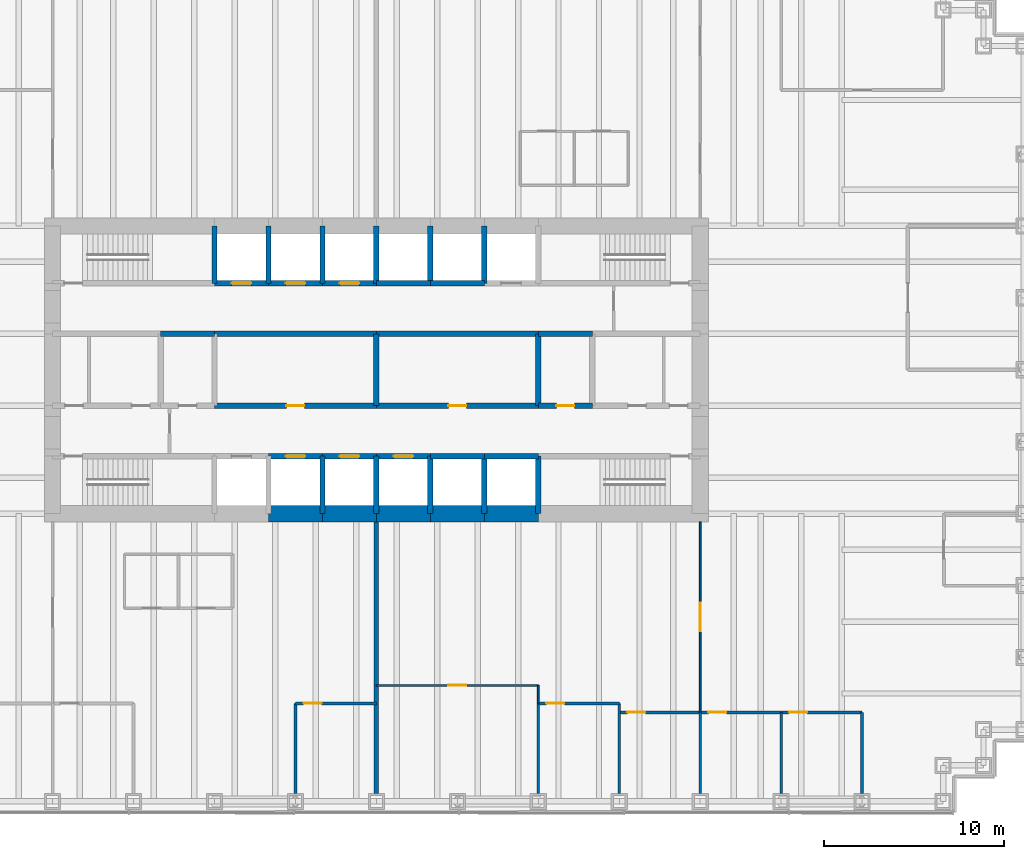
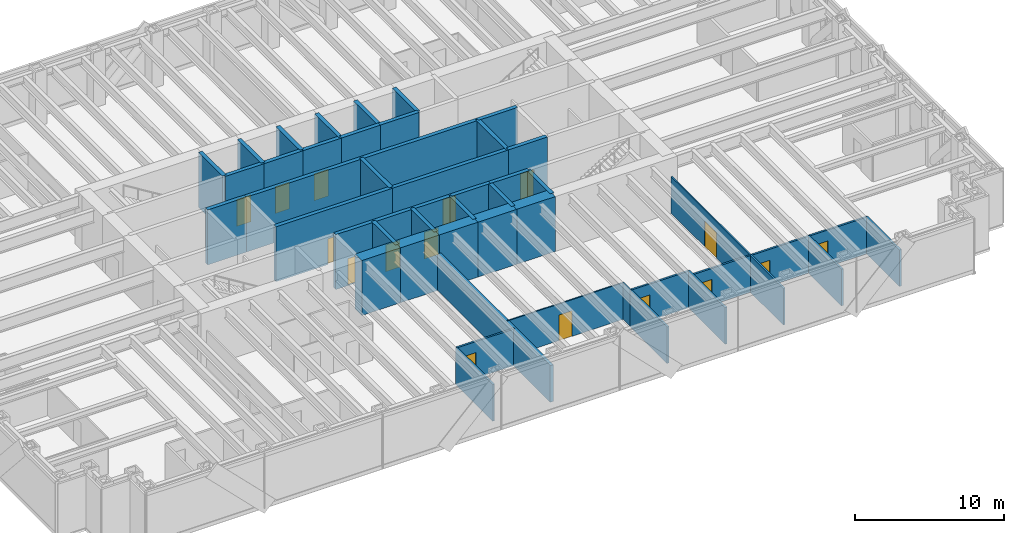
# One storey, part 10 of 13: 48 walls, 16 doors, 16 openings.
"""IFC4 building model written with IfcOpenShell, lengths in metres."""

from ifc_helpers import new_model, si_unit, direction, frame, frame_2d, origin, place, context, subcontext, project, spatial, rectangle, extrude, material, layer, layer_set, type_object, element, fill, save


model = new_model("IFC4")

# Units and contexts
model_context = context("Model", 3, precision=1e-05, world=origin(), true_north=direction((0.0, 1.0)))
body_context = subcontext(model_context, "Body", "Model", "MODEL_VIEW")
ifc_project = project(units=[si_unit("LENGTHUNIT", "METRE"), si_unit("AREAUNIT", "SQUARE_METRE"), si_unit("VOLUMEUNIT", "CUBIC_METRE"), si_unit("PLANEANGLEUNIT", "RADIAN"), si_unit("MASSUNIT", "GRAM", prefix="KILO")], contexts=[model_context])

# Site, building, storey
site_placement = place(None, origin())
site = spatial("IfcSite", under=ifc_project, at=site_placement, CompositionType="ELEMENT")
building_placement = place(site_placement, origin())
building = spatial("IfcBuilding", under=site, at=building_placement, Name="Rheinbord Bourse Tower", CompositionType="ELEMENT")
storey_placement = place(building_placement, frame((0.0, 0.0, 54.5)))
storey = spatial("IfcBuildingStorey", under=building, at=storey_placement, Name="L11", CompositionType="ELEMENT", Elevation=54.5)

# Wall, opening, door
ifc_material_1 = material(Name="Concrete C50/60", Category="concrete")
ifc_layer_1 = layer(ifc_material_1, 0.300048828125)
ifc_layer_set_1 = layer_set([ifc_layer_1], Name="CORE INNER WALL 300")
wall_type_1 = type_object("IfcWallType", Name="CORE INNER WALL 300", PredefinedType="SOLIDWALL", material=ifc_layer_set_1)
wall_1_placement = place(storey_placement, frame((30.0, 19.199951171875, 0.0), z_axis=(0.0, 0.0, 1.0), x_axis=(1.0, 0.0, 0.0)))
wall_1 = element("IfcWall", 1, at=wall_1_placement, inside=storey, type_object=wall_type_1, Name="Core wall A3 L11", PredefinedType="SOLIDWALL", context=body_context, shape_type="SweptSolid", body=[
    extrude(rectangle(XDim=3.0, YDim=0.300048828125, at=frame_2d((1.5, 0.0))), origin(), (0.0, 0.0, 1.0), 4.5),
])
opening_1_placement = place(wall_1_placement, frame((0.949951171875, 0.0, 0.0)))
opening_1 = element("IfcOpeningElement", 2, at=opening_1_placement, cuts=wall_1, Name="Opening PA1", PredefinedType="OPENING", context=body_context, shape_type="SweptSolid", body=[
    extrude(rectangle(XDim=1.10009765625, YDim=2.199951171875, at=frame_2d((0.550048828125, 1.10009765625))), frame((0.0, 0.159912109375, 0.0), z_axis=(0.0, -1.0, 0.0), x_axis=(1.0, 0.0, 0.0)), (0.0, 0.0, 1.0), 0.320068359375),
])
ifc_material_2 = material(Name="Steel landing door", Category="steel")
door_type_1 = type_object("IfcDoorType", Name="LIFT LANDING DOOR 1100", OperationType="DOUBLE_DOOR_SLIDING", PredefinedType="USERDEFINED", material=ifc_material_2)
door_1_placement = place(opening_1_placement, origin())
door_1 = element("IfcDoor", 3, at=door_1_placement, inside=storey, type_object=door_type_1, Name="Lift landing door PA1 L11", ObjectType="LIFT LANDING DOOR", OperationType="DOUBLE_DOOR_SLIDING", OverallHeight=2.199951171875, OverallWidth=1.10009765625, PredefinedType="USERDEFINED", context=body_context, shape_type="SweptSolid", body=[
    extrude(rectangle(XDim=1.10009765625, YDim=2.199951171875, at=frame_2d((0.550048828125, 1.10009765625))), frame((0.0, 0.02490234375, 0.0), z_axis=(0.0, -1.0, 0.0), x_axis=(1.0, 0.0, 0.0)), (0.0, 0.0, 1.0), 0.050048828125),
])
fill(opening_1, door_1)

wall_2_placement = place(storey_placement, frame((33.0, 19.199951171875, 0.0), z_axis=(0.0, 0.0, 1.0), x_axis=(1.0, 0.0, 0.0)))
wall_2 = element("IfcWall", 4, at=wall_2_placement, inside=storey, type_object=wall_type_1, Name="Core wall A4 L11", PredefinedType="SOLIDWALL", context=body_context, shape_type="SweptSolid", body=[
    extrude(rectangle(XDim=3.0, YDim=0.300048828125, at=frame_2d((1.5, 0.0))), origin(), (0.0, 0.0, 1.0), 4.5),
])
opening_2_placement = place(wall_2_placement, frame((0.949951171875, 0.0, 0.0)))
opening_2 = element("IfcOpeningElement", 5, at=opening_2_placement, cuts=wall_2, Name="Opening PA2", PredefinedType="OPENING", context=body_context, shape_type="SweptSolid", body=[
    extrude(rectangle(XDim=1.10009765625, YDim=2.199951171875, at=frame_2d((0.550048828125, 1.10009765625))), frame((0.0, 0.159912109375, 0.0), z_axis=(0.0, -1.0, 0.0), x_axis=(1.0, 0.0, 0.0)), (0.0, 0.0, 1.0), 0.320068359375),
])
door_2_placement = place(opening_2_placement, origin())
door_2 = element("IfcDoor", 6, at=door_2_placement, inside=storey, type_object=door_type_1, Name="Lift landing door PA2 L11", ObjectType="LIFT LANDING DOOR", OperationType="DOUBLE_DOOR_SLIDING", OverallHeight=2.199951171875, OverallWidth=1.10009765625, PredefinedType="USERDEFINED", context=body_context, shape_type="SweptSolid", body=[
    extrude(rectangle(XDim=1.10009765625, YDim=2.199951171875, at=frame_2d((0.550048828125, 1.10009765625))), frame((0.0, 0.02490234375, 0.0), z_axis=(0.0, -1.0, 0.0), x_axis=(1.0, 0.0, 0.0)), (0.0, 0.0, 1.0), 0.050048828125),
])
fill(opening_2, door_2)

wall_3_placement = place(storey_placement, frame((36.0, 19.199951171875, 0.0), z_axis=(0.0, 0.0, 1.0), x_axis=(1.0, 0.0, 0.0)))
wall_3 = element("IfcWall", 7, at=wall_3_placement, inside=storey, type_object=wall_type_1, Name="Core wall A5 L11", PredefinedType="SOLIDWALL", context=body_context, shape_type="SweptSolid", body=[
    extrude(rectangle(XDim=3.0, YDim=0.300048828125, at=frame_2d((1.5, 0.0))), origin(), (0.0, 0.0, 1.0), 4.5),
])
opening_3_placement = place(wall_3_placement, frame((0.949951171875, 0.0, 0.0)))
opening_3 = element("IfcOpeningElement", 8, at=opening_3_placement, cuts=wall_3, Name="Opening PA3", PredefinedType="OPENING", context=body_context, shape_type="SweptSolid", body=[
    extrude(rectangle(XDim=1.10009765625, YDim=2.199951171875, at=frame_2d((0.550048828125, 1.10009765625))), frame((0.0, 0.159912109375, 0.0), z_axis=(0.0, -1.0, 0.0), x_axis=(1.0, 0.0, 0.0)), (0.0, 0.0, 1.0), 0.320068359375),
])
door_3_placement = place(opening_3_placement, origin())
door_3 = element("IfcDoor", 9, at=door_3_placement, inside=storey, type_object=door_type_1, Name="Lift landing door PA3 L11", ObjectType="LIFT LANDING DOOR", OperationType="DOUBLE_DOOR_SLIDING", OverallHeight=2.199951171875, OverallWidth=1.10009765625, PredefinedType="USERDEFINED", context=body_context, shape_type="SweptSolid", body=[
    extrude(rectangle(XDim=1.10009765625, YDim=2.199951171875, at=frame_2d((0.550048828125, 1.10009765625))), frame((0.0, 0.02490234375, 0.0), z_axis=(0.0, -1.0, 0.0), x_axis=(1.0, 0.0, 0.0)), (0.0, 0.0, 1.0), 0.050048828125),
])
fill(opening_3, door_3)

# Walls
for number, where, z_axis, x_axis, name in (
    (10, (39.0, 19.199951171875, 0.0), (0.0, 0.0, 1.0), (1.0, 0.0, 0.0), "Core wall A6 L11"),
    (11, (42.0, 19.199951171875, 0.0), (0.0, 0.0, 1.0), (1.0, 0.0, 0.0), "Core wall A7 L11"),
):
    element("IfcWall", number, at=place(storey_placement, frame(where, z_axis=z_axis, x_axis=x_axis)), inside=storey, type_object=wall_type_1, Name=name, PredefinedType="SOLIDWALL", context=body_context, shape_type="SweptSolid", body=[
        extrude(rectangle(XDim=3.0, YDim=0.300048828125, at=frame_2d((1.5, 0.0))), origin(), (0.0, 0.0, 1.0), 4.5),
    ])

# Wall, opening, door
wall_4_placement = place(storey_placement, frame((27.0, 28.800048828125, 0.0), z_axis=(0.0, 0.0, 1.0), x_axis=(1.0, 0.0, 0.0)))
wall_4 = element("IfcWall", 12, at=wall_4_placement, inside=storey, type_object=wall_type_1, Name="Core wall B2 L11", PredefinedType="SOLIDWALL", context=body_context, shape_type="SweptSolid", body=[
    extrude(rectangle(XDim=3.0, YDim=0.300048828125, at=frame_2d((1.5, 0.0))), origin(), (0.0, 0.0, 1.0), 4.5),
])
opening_4_placement = place(wall_4_placement, frame((0.949951171875, 0.0, 0.0)))
opening_4 = element("IfcOpeningElement", 13, at=opening_4_placement, cuts=wall_4, Name="Opening GL1", PredefinedType="OPENING", context=body_context, shape_type="SweptSolid", body=[
    extrude(rectangle(XDim=1.10009765625, YDim=2.199951171875, at=frame_2d((0.550048828125, 1.10009765625))), frame((0.0, 0.159912109375, 0.0), z_axis=(0.0, -1.0, 0.0), x_axis=(1.0, 0.0, 0.0)), (0.0, 0.0, 1.0), 0.320068359375),
])
door_4_placement = place(opening_4_placement, origin())
door_4 = element("IfcDoor", 14, at=door_4_placement, inside=storey, type_object=door_type_1, Name="Lift landing door GL1 L11", ObjectType="LIFT LANDING DOOR", OperationType="DOUBLE_DOOR_SLIDING", OverallHeight=2.199951171875, OverallWidth=1.10009765625, PredefinedType="USERDEFINED", context=body_context, shape_type="SweptSolid", body=[
    extrude(rectangle(XDim=1.10009765625, YDim=2.199951171875, at=frame_2d((0.550048828125, 1.10009765625))), frame((0.0, 0.02490234375, 0.0), z_axis=(0.0, -1.0, 0.0), x_axis=(1.0, 0.0, 0.0)), (0.0, 0.0, 1.0), 0.050048828125),
])
fill(opening_4, door_4)

wall_5_placement = place(storey_placement, frame((30.0, 28.800048828125, 0.0), z_axis=(0.0, 0.0, 1.0), x_axis=(1.0, 0.0, 0.0)))
wall_5 = element("IfcWall", 15, at=wall_5_placement, inside=storey, type_object=wall_type_1, Name="Core wall B3 L11", PredefinedType="SOLIDWALL", context=body_context, shape_type="SweptSolid", body=[
    extrude(rectangle(XDim=3.0, YDim=0.300048828125, at=frame_2d((1.5, 0.0))), origin(), (0.0, 0.0, 1.0), 4.5),
])
opening_5_placement = place(wall_5_placement, frame((0.949951171875, 0.0, 0.0)))
opening_5 = element("IfcOpeningElement", 16, at=opening_5_placement, cuts=wall_5, Name="Opening PA4", PredefinedType="OPENING", context=body_context, shape_type="SweptSolid", body=[
    extrude(rectangle(XDim=1.10009765625, YDim=2.199951171875, at=frame_2d((0.550048828125, 1.10009765625))), frame((0.0, 0.159912109375, 0.0), z_axis=(0.0, -1.0, 0.0), x_axis=(1.0, 0.0, 0.0)), (0.0, 0.0, 1.0), 0.320068359375),
])
door_5_placement = place(opening_5_placement, origin())
door_5 = element("IfcDoor", 17, at=door_5_placement, inside=storey, type_object=door_type_1, Name="Lift landing door PA4 L11", ObjectType="LIFT LANDING DOOR", OperationType="DOUBLE_DOOR_SLIDING", OverallHeight=2.199951171875, OverallWidth=1.10009765625, PredefinedType="USERDEFINED", context=body_context, shape_type="SweptSolid", body=[
    extrude(rectangle(XDim=1.10009765625, YDim=2.199951171875, at=frame_2d((0.550048828125, 1.10009765625))), frame((0.0, 0.02490234375, 0.0), z_axis=(0.0, -1.0, 0.0), x_axis=(1.0, 0.0, 0.0)), (0.0, 0.0, 1.0), 0.050048828125),
])
fill(opening_5, door_5)

wall_6_placement = place(storey_placement, frame((33.0, 28.800048828125, 0.0), z_axis=(0.0, 0.0, 1.0), x_axis=(1.0, 0.0, 0.0)))
wall_6 = element("IfcWall", 18, at=wall_6_placement, inside=storey, type_object=wall_type_1, Name="Core wall B4 L11", PredefinedType="SOLIDWALL", context=body_context, shape_type="SweptSolid", body=[
    extrude(rectangle(XDim=3.0, YDim=0.300048828125, at=frame_2d((1.5, 0.0))), origin(), (0.0, 0.0, 1.0), 4.5),
])
opening_6_placement = place(wall_6_placement, frame((0.949951171875, 0.0, 0.0)))
opening_6 = element("IfcOpeningElement", 19, at=opening_6_placement, cuts=wall_6, Name="Opening PA5", PredefinedType="OPENING", context=body_context, shape_type="SweptSolid", body=[
    extrude(rectangle(XDim=1.10009765625, YDim=2.199951171875, at=frame_2d((0.550048828125, 1.10009765625))), frame((0.0, 0.159912109375, 0.0), z_axis=(0.0, -1.0, 0.0), x_axis=(1.0, 0.0, 0.0)), (0.0, 0.0, 1.0), 0.320068359375),
])
door_6_placement = place(opening_6_placement, origin())
door_6 = element("IfcDoor", 20, at=door_6_placement, inside=storey, type_object=door_type_1, Name="Lift landing door PA5 L11", ObjectType="LIFT LANDING DOOR", OperationType="DOUBLE_DOOR_SLIDING", OverallHeight=2.199951171875, OverallWidth=1.10009765625, PredefinedType="USERDEFINED", context=body_context, shape_type="SweptSolid", body=[
    extrude(rectangle(XDim=1.10009765625, YDim=2.199951171875, at=frame_2d((0.550048828125, 1.10009765625))), frame((0.0, 0.02490234375, 0.0), z_axis=(0.0, -1.0, 0.0), x_axis=(1.0, 0.0, 0.0)), (0.0, 0.0, 1.0), 0.050048828125),
])
fill(opening_6, door_6)

# Walls
for number, where, z_axis, x_axis, name in (
    (21, (36.0, 28.800048828125, 0.0), (0.0, 0.0, 1.0), (1.0, 0.0, 0.0), "Core wall B5 L11"),
    (22, (39.0, 28.800048828125, 0.0), (0.0, 0.0, 1.0), (1.0, 0.0, 0.0), "Core wall B6 L11"),
):
    element("IfcWall", number, at=place(storey_placement, frame(where, z_axis=z_axis, x_axis=x_axis)), inside=storey, type_object=wall_type_1, Name=name, PredefinedType="SOLIDWALL", context=body_context, shape_type="SweptSolid", body=[
        extrude(rectangle(XDim=3.0, YDim=0.300048828125, at=frame_2d((1.5, 0.0))), origin(), (0.0, 0.0, 1.0), 4.5),
    ])

# Wall, opening, door
wall_7_placement = place(storey_placement, frame((27.0, 22.0, 0.0), z_axis=(0.0, 0.0, 1.0), x_axis=(1.0, 0.0, 0.0)))
wall_7 = element("IfcWall", 23, at=wall_7_placement, inside=storey, type_object=wall_type_1, Name="Core wall C3 L11", PredefinedType="SOLIDWALL", context=body_context, shape_type="SweptSolid", body=[
    extrude(rectangle(XDim=9.0, YDim=0.300048828125, at=frame_2d((4.5, 0.0))), origin(), (0.0, 0.0, 1.0), 4.5),
])
opening_7_placement = place(wall_7_placement, frame((4.0, 0.0, 0.0)))
opening_7 = element("IfcOpeningElement", 24, at=opening_7_placement, cuts=wall_7, Name="Opening 11R3", PredefinedType="OPENING", context=body_context, shape_type="SweptSolid", body=[
    extrude(rectangle(XDim=1.0, YDim=2.10009765625, at=frame_2d((0.5, 1.050048828125))), frame((0.0, 0.159912109375, 0.0), z_axis=(0.0, -1.0, 0.0), x_axis=(1.0, 0.0, 0.0)), (0.0, 0.0, 1.0), 0.320068359375),
])
ifc_material_3 = material(Name="Steel door", Category="steel")
door_type_2 = type_object("IfcDoorType", Name="DOOR 1000 EI30", OperationType="SINGLE_SWING_LEFT", PredefinedType="DOOR", material=ifc_material_3)
door_7_placement = place(opening_7_placement, origin())
door_7 = element("IfcDoor", 25, at=door_7_placement, inside=storey, type_object=door_type_2, Name="Riser door L11", OperationType="SINGLE_SWING_LEFT", OverallHeight=2.10009765625, OverallWidth=1.0, PredefinedType="DOOR", context=body_context, shape_type="SweptSolid", body=[
    extrude(rectangle(XDim=1.0, YDim=2.10009765625, at=frame_2d((0.5, 1.050048828125))), frame((0.0, 0.02490234375, 0.0), z_axis=(0.0, -1.0, 0.0), x_axis=(1.0, 0.0, 0.0)), (0.0, 0.0, 1.0), 0.050048828125),
])
fill(opening_7, door_7)

wall_8_placement = place(storey_placement, frame((36.0, 22.0, 0.0), z_axis=(0.0, 0.0, 1.0), x_axis=(1.0, 0.0, 0.0)))
wall_8 = element("IfcWall", 26, at=wall_8_placement, inside=storey, type_object=wall_type_1, Name="Core wall C4 L11", PredefinedType="SOLIDWALL", context=body_context, shape_type="SweptSolid", body=[
    extrude(rectangle(XDim=9.0, YDim=0.300048828125, at=frame_2d((4.5, 0.0))), origin(), (0.0, 0.0, 1.0), 4.5),
])
opening_8_placement = place(wall_8_placement, frame((4.0, 0.0, 0.0)))
opening_8 = element("IfcOpeningElement", 27, at=opening_8_placement, cuts=wall_8, Name="Opening 11R4", PredefinedType="OPENING", context=body_context, shape_type="SweptSolid", body=[
    extrude(rectangle(XDim=1.0, YDim=2.10009765625, at=frame_2d((0.5, 1.050048828125))), frame((0.0, 0.159912109375, 0.0), z_axis=(0.0, -1.0, 0.0), x_axis=(1.0, 0.0, 0.0)), (0.0, 0.0, 1.0), 0.320068359375),
])
door_8_placement = place(opening_8_placement, origin())
door_8 = element("IfcDoor", 28, at=door_8_placement, inside=storey, type_object=door_type_2, Name="Store door L11", OperationType="SINGLE_SWING_LEFT", OverallHeight=2.10009765625, OverallWidth=1.0, PredefinedType="DOOR", context=body_context, shape_type="SweptSolid", body=[
    extrude(rectangle(XDim=1.0, YDim=2.10009765625, at=frame_2d((0.5, 1.050048828125))), frame((0.0, 0.02490234375, 0.0), z_axis=(0.0, -1.0, 0.0), x_axis=(1.0, 0.0, 0.0)), (0.0, 0.0, 1.0), 0.050048828125),
])
fill(opening_8, door_8)

wall_9_placement = place(storey_placement, frame((45.0, 22.0, 0.0), z_axis=(0.0, 0.0, 1.0), x_axis=(1.0, 0.0, 0.0)))
wall_9 = element("IfcWall", 29, at=wall_9_placement, inside=storey, type_object=wall_type_1, Name="Core wall C5 L11", PredefinedType="SOLIDWALL", context=body_context, shape_type="SweptSolid", body=[
    extrude(rectangle(XDim=3.0, YDim=0.300048828125, at=frame_2d((1.5, 0.0))), origin(), (0.0, 0.0, 1.0), 4.5),
])
opening_9_placement = place(wall_9_placement, frame((1.0, 0.0, 0.0)))
opening_9 = element("IfcOpeningElement", 30, at=opening_9_placement, cuts=wall_9, Name="Opening 11R5", PredefinedType="OPENING", context=body_context, shape_type="SweptSolid", body=[
    extrude(rectangle(XDim=1.0, YDim=2.10009765625, at=frame_2d((0.5, 1.050048828125))), frame((0.0, 0.159912109375, 0.0), z_axis=(0.0, -1.0, 0.0), x_axis=(1.0, 0.0, 0.0)), (0.0, 0.0, 1.0), 0.320068359375),
])
ifc_material_4 = material(Name="Timber door", Category="wood")
door_type_3 = type_object("IfcDoorType", Name="DOOR 1000 WC", OperationType="SINGLE_SWING_LEFT", PredefinedType="DOOR", material=ifc_material_4)
door_9_placement = place(opening_9_placement, origin())
door_9 = element("IfcDoor", 31, at=door_9_placement, inside=storey, type_object=door_type_3, Name="Accessible WC door L11", OperationType="SINGLE_SWING_LEFT", OverallHeight=2.10009765625, OverallWidth=1.0, PredefinedType="DOOR", context=body_context, shape_type="SweptSolid", body=[
    extrude(rectangle(XDim=1.0, YDim=2.10009765625, at=frame_2d((0.5, 1.050048828125))), frame((0.0, 0.02490234375, 0.0), z_axis=(0.0, -1.0, 0.0), x_axis=(1.0, 0.0, 0.0)), (0.0, 0.0, 1.0), 0.050048828125),
])
fill(opening_9, door_9)

# Walls
wall_10_placement = place(storey_placement, frame((24.0, 26.0, 0.0), z_axis=(0.0, 0.0, 1.0), x_axis=(1.0, 0.0, 0.0)))
element("IfcWall", 32, at=wall_10_placement, inside=storey, type_object=wall_type_1, Name="Core wall D2 L11", PredefinedType="SOLIDWALL", context=body_context, shape_type="SweptSolid", body=[
    extrude(rectangle(XDim=3.0, YDim=0.300048828125, at=frame_2d((1.5, 0.0))), origin(), (0.0, 0.0, 1.0), 4.5),
])
for number, where, z_axis, x_axis, name in (
    (33, (27.0, 26.0, 0.0), (0.0, 0.0, 1.0), (1.0, 0.0, 0.0), "Core wall D3 L11"),
    (34, (36.0, 26.0, 0.0), (0.0, 0.0, 1.0), (1.0, 0.0, 0.0), "Core wall D4 L11"),
):
    element("IfcWall", number, at=place(storey_placement, frame(where, z_axis=z_axis, x_axis=x_axis)), inside=storey, type_object=wall_type_1, Name=name, PredefinedType="SOLIDWALL", context=body_context, shape_type="SweptSolid", body=[
        extrude(rectangle(XDim=9.0, YDim=0.300048828125, at=frame_2d((4.5, 0.0))), origin(), (0.0, 0.0, 1.0), 4.5),
    ])
wall_11_placement = place(storey_placement, frame((45.0, 26.0, 0.0), z_axis=(0.0, 0.0, 1.0), x_axis=(1.0, 0.0, 0.0)))
element("IfcWall", 35, at=wall_11_placement, inside=storey, type_object=wall_type_1, Name="Core wall D5 L11", PredefinedType="SOLIDWALL", context=body_context, shape_type="SweptSolid", body=[
    extrude(rectangle(XDim=3.0, YDim=0.300048828125, at=frame_2d((1.5, 0.0))), origin(), (0.0, 0.0, 1.0), 4.5),
])
for number, where, z_axis, x_axis, name in (
    (36, (27.0, 28.800048828125, 0.0), (0.0, 0.0, 1.0), (0.0, 1.0, 0.0), "Core wall NX27 L11"),
    (37, (30.0, 28.800048828125, 0.0), (0.0, 0.0, 1.0), (0.0, 1.0, 0.0), "Core wall NX30 L11"),
    (38, (33.0, 16.0, 0.0), (0.0, 0.0, 1.0), (0.0, 1.0, 0.0), "Core wall SX33 L11"),
    (39, (33.0, 28.800048828125, 0.0), (0.0, 0.0, 1.0), (0.0, 1.0, 0.0), "Core wall NX33 L11"),
    (40, (36.0, 16.0, 0.0), (0.0, 0.0, 1.0), (0.0, 1.0, 0.0), "Core wall SX36 L11"),
    (41, (36.0, 28.800048828125, 0.0), (0.0, 0.0, 1.0), (0.0, 1.0, 0.0), "Core wall NX36 L11"),
    (42, (39.0, 16.0, 0.0), (0.0, 0.0, 1.0), (0.0, 1.0, 0.0), "Core wall SX39 L11"),
    (43, (39.0, 28.800048828125, 0.0), (0.0, 0.0, 1.0), (0.0, 1.0, 0.0), "Core wall NX39 L11"),
    (44, (42.0, 16.0, 0.0), (0.0, 0.0, 1.0), (0.0, 1.0, 0.0), "Core wall SX42 L11"),
    (45, (42.0, 28.800048828125, 0.0), (0.0, 0.0, 1.0), (0.0, 1.0, 0.0), "Core wall NX42 L11"),
    (46, (45.0, 16.0, 0.0), (0.0, 0.0, 1.0), (0.0, 1.0, 0.0), "Core wall SX45 L11"),
):
    element("IfcWall", number, at=place(storey_placement, frame(where, z_axis=z_axis, x_axis=x_axis)), inside=storey, type_object=wall_type_1, Name=name, PredefinedType="SOLIDWALL", context=body_context, shape_type="SweptSolid", body=[
        extrude(rectangle(XDim=3.199951171875, YDim=0.300048828125, at=frame_2d((1.60009765625, 0.0))), origin(), (0.0, 0.0, 1.0), 4.5),
    ])
for number, where, z_axis, x_axis, name in (
    (47, (36.0, 22.0, 0.0), (0.0, 0.0, 1.0), (0.0, 1.0, 0.0), "Core wall MX36 L11"),
    (48, (45.0, 22.0, 0.0), (0.0, 0.0, 1.0), (0.0, 1.0, 0.0), "Core wall MX45 L11"),
):
    element("IfcWall", number, at=place(storey_placement, frame(where, z_axis=z_axis, x_axis=x_axis)), inside=storey, type_object=wall_type_1, Name=name, PredefinedType="SOLIDWALL", context=body_context, shape_type="SweptSolid", body=[
        extrude(rectangle(XDim=4.0, YDim=0.300048828125, at=frame_2d((2.0, 0.0))), origin(), (0.0, 0.0, 1.0), 4.5),
    ])
ifc_material_5 = material(Name="Concrete C50/60", Category="concrete")
ifc_layer_2 = layer(ifc_material_5, 0.89990234375)
ifc_layer_set_2 = layer_set([ifc_layer_2], Name="CORE WALL 900")
wall_type_2 = type_object("IfcWallType", Name="CORE WALL 900", PredefinedType="SHEAR", material=ifc_layer_set_2)
for number, where, z_axis, x_axis, name in (
    (49, (30.0, 16.0, 0.0), (0.0, 0.0, 1.0), (1.0, 0.0, 0.0), "Core wall S3 L11"),
    (50, (33.0, 16.0, 0.0), (0.0, 0.0, 1.0), (1.0, 0.0, 0.0), "Core wall S4 L11"),
    (51, (36.0, 16.0, 0.0), (0.0, 0.0, 1.0), (1.0, 0.0, 0.0), "Core wall S5 L11"),
    (52, (39.0, 16.0, 0.0), (0.0, 0.0, 1.0), (1.0, 0.0, 0.0), "Core wall S6 L11"),
    (53, (42.0, 16.0, 0.0), (0.0, 0.0, 1.0), (1.0, 0.0, 0.0), "Core wall S7 L11"),
):
    element("IfcWall", number, at=place(storey_placement, frame(where, z_axis=z_axis, x_axis=x_axis)), inside=storey, type_object=wall_type_2, Name=name, PredefinedType="SHEAR", context=body_context, shape_type="SweptSolid", body=[
        extrude(rectangle(XDim=3.0, YDim=0.89990234375, at=frame_2d((1.5, 0.0))), origin(), (0.0, 0.0, 1.0), 4.5),
    ])
ifc_material_6 = material(Name="Gypsum board tenancy wall", Category="gypsum board")
ifc_layer_3 = layer(ifc_material_6, 0.25)
ifc_layer_set_3 = layer_set([ifc_layer_3], Name="DEMISING PARTITION 250 EI60")
wall_type_3 = type_object("IfcWallType", Name="DEMISING PARTITION 250 EI60", PredefinedType="PARTITIONING", material=ifc_layer_set_3)
wall_12_placement = place(storey_placement, frame((36.0, 0.449951171875, 0.0), z_axis=(0.0, 0.0, 1.0), x_axis=(0.0, 1.0, 0.0)))
element("IfcWall", 54, at=wall_12_placement, inside=storey, type_object=wall_type_3, Name="Partition L11-38", PredefinedType="PARTITIONING", context=body_context, shape_type="SweptSolid", body=[
    extrude(rectangle(XDim=15.10009765625, YDim=0.25, at=frame_2d((7.550048828125, 0.0))), origin(), (0.0, 0.0, 1.0), 3.0),
])

# Wall, opening, door
ifc_material_7 = material(Name="Toughened laminated glass partition", Category="glass")
ifc_layer_4 = layer(ifc_material_7, 0.10009765625)
ifc_layer_set_4 = layer_set([ifc_layer_4], Name="GLAZED PARTITION 100")
wall_type_4 = type_object("IfcWallType", Name="GLAZED PARTITION 100", PredefinedType="PARTITIONING", material=ifc_layer_set_4)
wall_13_placement = place(storey_placement, frame((36.0, 6.449951171875, 0.0), z_axis=(0.0, 0.0, 1.0), x_axis=(1.0, 0.0, 0.0)))
wall_13 = element("IfcWall", 55, at=wall_13_placement, inside=storey, type_object=wall_type_4, Name="Partition L11-05", PredefinedType="PARTITIONING", context=body_context, shape_type="SweptSolid", body=[
    extrude(rectangle(XDim=9.0, YDim=0.10009765625, at=frame_2d((4.5, 0.0))), origin(), (0.0, 0.0, 1.0), 3.0),
])
opening_10_placement = place(wall_13_placement, frame((4.0, 0.0, 0.0)))
opening_10 = element("IfcOpeningElement", 56, at=opening_10_placement, cuts=wall_13, Name="Opening 11D09", PredefinedType="OPENING", context=body_context, shape_type="SweptSolid", body=[
    extrude(rectangle(XDim=1.0, YDim=2.10009765625, at=frame_2d((0.5, 1.050048828125))), frame((0.0, 0.06005859375, 0.0), z_axis=(0.0, -1.0, 0.0), x_axis=(1.0, 0.0, 0.0)), (0.0, 0.0, 1.0), 0.1201171875),
])
ifc_material_8 = material(Name="Timber door", Category="wood")
door_type_4 = type_object("IfcDoorType", Name="ROOM DOOR 1000", OperationType="SINGLE_SWING_LEFT", PredefinedType="DOOR", material=ifc_material_8)
door_10_placement = place(opening_10_placement, origin())
door_10 = element("IfcDoor", 57, at=door_10_placement, inside=storey, type_object=door_type_4, Name="Meeting room door L11", OperationType="SINGLE_SWING_LEFT", OverallHeight=2.10009765625, OverallWidth=1.0, PredefinedType="DOOR", context=body_context, shape_type="SweptSolid", body=[
    extrude(rectangle(XDim=1.0, YDim=2.10009765625, at=frame_2d((0.5, 1.050048828125))), frame((0.0, 0.02490234375, 0.0), z_axis=(0.0, -1.0, 0.0), x_axis=(1.0, 0.0, 0.0)), (0.0, 0.0, 1.0), 0.050048828125),
])
fill(opening_10, door_10)

# Wall
wall_14_placement = place(storey_placement, frame((45.0, 5.449951171875, 0.0), z_axis=(0.0, 0.0, 1.0), x_axis=(0.0, 1.0, 0.0)))
element("IfcWall", 58, at=wall_14_placement, inside=storey, type_object=wall_type_4, Name="Partition L11-42", PredefinedType="PARTITIONING", context=body_context, shape_type="SweptSolid", body=[
    extrude(rectangle(XDim=1.0, YDim=0.10009765625, at=frame_2d((0.5, 0.0))), origin(), (0.0, 0.0, 1.0), 3.0),
])

# Wall, opening, door
wall_15_placement = place(storey_placement, frame((54.0, 4.949951171875, 0.0), z_axis=(0.0, 0.0, 1.0), x_axis=(0.0, 1.0, 0.0)))
wall_15 = element("IfcWall", 59, at=wall_15_placement, inside=storey, type_object=wall_type_4, Name="Partition L11-47", PredefinedType="PARTITIONING", context=body_context, shape_type="SweptSolid", body=[
    extrude(rectangle(XDim=10.60009765625, YDim=0.10009765625, at=frame_2d((5.300048828125, 0.0))), origin(), (0.0, 0.0, 1.0), 3.0),
])
opening_11_placement = place(wall_15_placement, frame((4.5, 0.0, 0.0)))
opening_11 = element("IfcOpeningElement", 60, at=opening_11_placement, cuts=wall_15, Name="Opening 11D23", PredefinedType="OPENING", context=body_context, shape_type="SweptSolid", body=[
    extrude(rectangle(XDim=1.60009765625, YDim=2.10009765625, at=frame_2d((0.800048828125, 1.050048828125))), frame((0.0, 0.06005859375, 0.0), z_axis=(0.0, -1.0, 0.0), x_axis=(1.0, 0.0, 0.0)), (0.0, 0.0, 1.0), 0.1201171875),
])
ifc_material_9 = material(Name="Timber door", Category="wood")
door_type_5 = type_object("IfcDoorType", Name="DOUBLE ROOM DOOR 1600", OperationType="DOUBLE_DOOR_DOUBLE_SWING", PredefinedType="DOOR", material=ifc_material_9)
door_11_placement = place(opening_11_placement, origin())
door_11 = element("IfcDoor", 61, at=door_11_placement, inside=storey, type_object=door_type_5, Name="Open area door L11", OperationType="SINGLE_SWING_LEFT", OverallHeight=2.10009765625, OverallWidth=1.60009765625, PredefinedType="DOOR", context=body_context, shape_type="SweptSolid", body=[
    extrude(rectangle(XDim=1.60009765625, YDim=2.10009765625, at=frame_2d((0.800048828125, 1.050048828125))), frame((0.0, 0.02490234375, 0.0), z_axis=(0.0, -1.0, 0.0), x_axis=(1.0, 0.0, 0.0)), (0.0, 0.0, 1.0), 0.050048828125),
])
fill(opening_11, door_11)

# Wall, openings, doors
ifc_material_10 = material(Name="Gypsum board partition", Category="gypsum board")
ifc_layer_5 = layer(ifc_material_10, 0.14990234375)
ifc_layer_set_5 = layer_set([ifc_layer_5], Name="PARTITION 150")
wall_type_5 = type_object("IfcWallType", Name="PARTITION 150", PredefinedType="PARTITIONING", material=ifc_layer_set_5)
wall_16_placement = place(storey_placement, frame((49.5, 4.949951171875, 0.0), z_axis=(0.0, 0.0, 1.0), x_axis=(1.0, 0.0, 0.0)))
wall_16 = element("IfcWall", 62, at=wall_16_placement, inside=storey, type_object=wall_type_5, Name="Partition L11-01", PredefinedType="PARTITIONING", context=body_context, shape_type="SweptSolid", body=[
    extrude(rectangle(XDim=13.5, YDim=0.14990234375, at=frame_2d((6.75, 0.0))), origin(), (0.0, 0.0, 1.0), 3.0),
])
opening_12_placement = place(wall_16_placement, frame((0.449951171875, 0.0, 0.0)))
opening_12 = element("IfcOpeningElement", 63, at=opening_12_placement, cuts=wall_16, Name="Opening 11D01", PredefinedType="OPENING", context=body_context, shape_type="SweptSolid", body=[
    extrude(rectangle(XDim=1.0, YDim=2.10009765625, at=frame_2d((0.5, 1.050048828125))), frame((0.0, 0.0849609375, 0.0), z_axis=(0.0, -1.0, 0.0), x_axis=(1.0, 0.0, 0.0)), (0.0, 0.0, 1.0), 0.169921875),
])
opening_13_placement = place(wall_16_placement, frame((4.949951171875, 0.0, 0.0)))
opening_13 = element("IfcOpeningElement", 64, at=opening_13_placement, cuts=wall_16, Name="Opening 11D02", PredefinedType="OPENING", context=body_context, shape_type="SweptSolid", body=[
    extrude(rectangle(XDim=1.0, YDim=2.10009765625, at=frame_2d((0.5, 1.050048828125))), frame((0.0, 0.0849609375, 0.0), z_axis=(0.0, -1.0, 0.0), x_axis=(1.0, 0.0, 0.0)), (0.0, 0.0, 1.0), 0.169921875),
])
opening_14_placement = place(wall_16_placement, frame((9.449951171875, 0.0, 0.0)))
opening_14 = element("IfcOpeningElement", 65, at=opening_14_placement, cuts=wall_16, Name="Opening 11D03", PredefinedType="OPENING", context=body_context, shape_type="SweptSolid", body=[
    extrude(rectangle(XDim=1.0, YDim=2.10009765625, at=frame_2d((0.5, 1.050048828125))), frame((0.0, 0.0849609375, 0.0), z_axis=(0.0, -1.0, 0.0), x_axis=(1.0, 0.0, 0.0)), (0.0, 0.0, 1.0), 0.169921875),
])
door_12_placement = place(opening_12_placement, origin())
door_12 = element("IfcDoor", 66, at=door_12_placement, inside=storey, type_object=door_type_4, Name="Office door L11", OperationType="SINGLE_SWING_LEFT", OverallHeight=2.10009765625, OverallWidth=1.0, PredefinedType="DOOR", context=body_context, shape_type="SweptSolid", body=[
    extrude(rectangle(XDim=1.0, YDim=2.10009765625, at=frame_2d((0.5, 1.050048828125))), frame((0.0, 0.02490234375, 0.0), z_axis=(0.0, -1.0, 0.0), x_axis=(1.0, 0.0, 0.0)), (0.0, 0.0, 1.0), 0.050048828125),
])
fill(opening_12, door_12)
door_13_placement = place(opening_13_placement, origin())
door_13 = element("IfcDoor", 67, at=door_13_placement, inside=storey, type_object=door_type_4, Name="Office door L11", OperationType="SINGLE_SWING_LEFT", OverallHeight=2.10009765625, OverallWidth=1.0, PredefinedType="DOOR", context=body_context, shape_type="SweptSolid", body=[
    extrude(rectangle(XDim=1.0, YDim=2.10009765625, at=frame_2d((0.5, 1.050048828125))), frame((0.0, 0.02490234375, 0.0), z_axis=(0.0, -1.0, 0.0), x_axis=(1.0, 0.0, 0.0)), (0.0, 0.0, 1.0), 0.050048828125),
])
fill(opening_13, door_13)
door_14_placement = place(opening_14_placement, origin())
door_14 = element("IfcDoor", 68, at=door_14_placement, inside=storey, type_object=door_type_4, Name="Office door L11", OperationType="SINGLE_SWING_RIGHT", OverallHeight=2.10009765625, OverallWidth=1.0, PredefinedType="DOOR", context=body_context, shape_type="SweptSolid", body=[
    extrude(rectangle(XDim=1.0, YDim=2.10009765625, at=frame_2d((0.5, 1.050048828125))), frame((0.0, 0.02490234375, 0.0), z_axis=(0.0, -1.0, 0.0), x_axis=(1.0, 0.0, 0.0)), (0.0, 0.0, 1.0), 0.050048828125),
])
fill(opening_14, door_14)

# Wall, opening, door
wall_17_placement = place(storey_placement, frame((31.5, 5.449951171875, 0.0), z_axis=(0.0, 0.0, 1.0), x_axis=(1.0, 0.0, 0.0)))
wall_17 = element("IfcWall", 69, at=wall_17_placement, inside=storey, type_object=wall_type_5, Name="Partition L11-03", PredefinedType="PARTITIONING", context=body_context, shape_type="SweptSolid", body=[
    extrude(rectangle(XDim=4.5, YDim=0.14990234375, at=frame_2d((2.25, 0.0))), origin(), (0.0, 0.0, 1.0), 3.0),
])
opening_15_placement = place(wall_17_placement, frame((0.449951171875, 0.0, 0.0)))
opening_15 = element("IfcOpeningElement", 70, at=opening_15_placement, cuts=wall_17, Name="Opening 11D07", PredefinedType="OPENING", context=body_context, shape_type="SweptSolid", body=[
    extrude(rectangle(XDim=1.0, YDim=2.10009765625, at=frame_2d((0.5, 1.050048828125))), frame((0.0, 0.0849609375, 0.0), z_axis=(0.0, -1.0, 0.0), x_axis=(1.0, 0.0, 0.0)), (0.0, 0.0, 1.0), 0.169921875),
])
door_15_placement = place(opening_15_placement, origin())
door_15 = element("IfcDoor", 71, at=door_15_placement, inside=storey, type_object=door_type_4, Name="Pantry door L11", OperationType="SINGLE_SWING_LEFT", OverallHeight=2.10009765625, OverallWidth=1.0, PredefinedType="DOOR", context=body_context, shape_type="SweptSolid", body=[
    extrude(rectangle(XDim=1.0, YDim=2.10009765625, at=frame_2d((0.5, 1.050048828125))), frame((0.0, 0.02490234375, 0.0), z_axis=(0.0, -1.0, 0.0), x_axis=(1.0, 0.0, 0.0)), (0.0, 0.0, 1.0), 0.050048828125),
])
fill(opening_15, door_15)

wall_18_placement = place(storey_placement, frame((45.0, 5.449951171875, 0.0), z_axis=(0.0, 0.0, 1.0), x_axis=(1.0, 0.0, 0.0)))
wall_18 = element("IfcWall", 72, at=wall_18_placement, inside=storey, type_object=wall_type_5, Name="Partition L11-04", PredefinedType="PARTITIONING", context=body_context, shape_type="SweptSolid", body=[
    extrude(rectangle(XDim=4.5, YDim=0.14990234375, at=frame_2d((2.25, 0.0))), origin(), (0.0, 0.0, 1.0), 3.0),
])
opening_16_placement = place(wall_18_placement, frame((0.449951171875, 0.0, 0.0)))
opening_16 = element("IfcOpeningElement", 73, at=opening_16_placement, cuts=wall_18, Name="Opening 11D08", PredefinedType="OPENING", context=body_context, shape_type="SweptSolid", body=[
    extrude(rectangle(XDim=1.0, YDim=2.10009765625, at=frame_2d((0.5, 1.050048828125))), frame((0.0, 0.0849609375, 0.0), z_axis=(0.0, -1.0, 0.0), x_axis=(1.0, 0.0, 0.0)), (0.0, 0.0, 1.0), 0.169921875),
])
door_16_placement = place(opening_16_placement, origin())
door_16 = element("IfcDoor", 74, at=door_16_placement, inside=storey, type_object=door_type_4, Name="Pantry door L11", OperationType="SINGLE_SWING_LEFT", OverallHeight=2.10009765625, OverallWidth=1.0, PredefinedType="DOOR", context=body_context, shape_type="SweptSolid", body=[
    extrude(rectangle(XDim=1.0, YDim=2.10009765625, at=frame_2d((0.5, 1.050048828125))), frame((0.0, 0.02490234375, 0.0), z_axis=(0.0, -1.0, 0.0), x_axis=(1.0, 0.0, 0.0)), (0.0, 0.0, 1.0), 0.050048828125),
])
fill(opening_16, door_16)

# Walls
for number, where, z_axis, x_axis, name in (
    (75, (31.5, 0.449951171875, 0.0), (0.0, 0.0, 1.0), (0.0, 1.0, 0.0), "Partition L11-37"),
    (76, (45.0, 0.449951171875, 0.0), (0.0, 0.0, 1.0), (0.0, 1.0, 0.0), "Partition L11-41"),
    (77, (49.5, 0.449951171875, 0.0), (0.0, 0.0, 1.0), (0.0, 1.0, 0.0), "Partition L11-44"),
):
    element("IfcWall", number, at=place(storey_placement, frame(where, z_axis=z_axis, x_axis=x_axis)), inside=storey, type_object=wall_type_5, Name=name, PredefinedType="PARTITIONING", context=body_context, shape_type="SweptSolid", body=[
        extrude(rectangle(XDim=5.0, YDim=0.14990234375, at=frame_2d((2.5, 0.0))), origin(), (0.0, 0.0, 1.0), 3.0),
    ])
for number, where, z_axis, x_axis, name in (
    (78, (54.0, 0.449951171875, 0.0), (0.0, 0.0, 1.0), (0.0, 1.0, 0.0), "Partition L11-46"),
    (79, (58.5, 0.449951171875, 0.0), (0.0, 0.0, 1.0), (0.0, 1.0, 0.0), "Partition L11-49"),
    (80, (63.0, 0.449951171875, 0.0), (0.0, 0.0, 1.0), (0.0, 1.0, 0.0), "Partition L11-51"),
):
    element("IfcWall", number, at=place(storey_placement, frame(where, z_axis=z_axis, x_axis=x_axis)), inside=storey, type_object=wall_type_5, Name=name, PredefinedType="PARTITIONING", context=body_context, shape_type="SweptSolid", body=[
        extrude(rectangle(XDim=4.5, YDim=0.14990234375, at=frame_2d((2.25, 0.0))), origin(), (0.0, 0.0, 1.0), 3.0),
    ])

save(model, "model.ifc")
